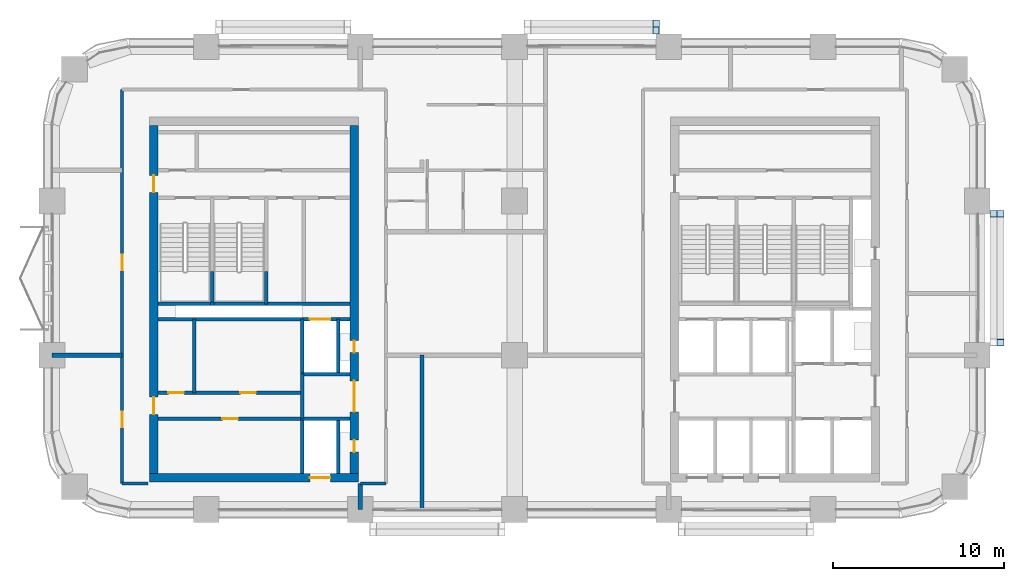
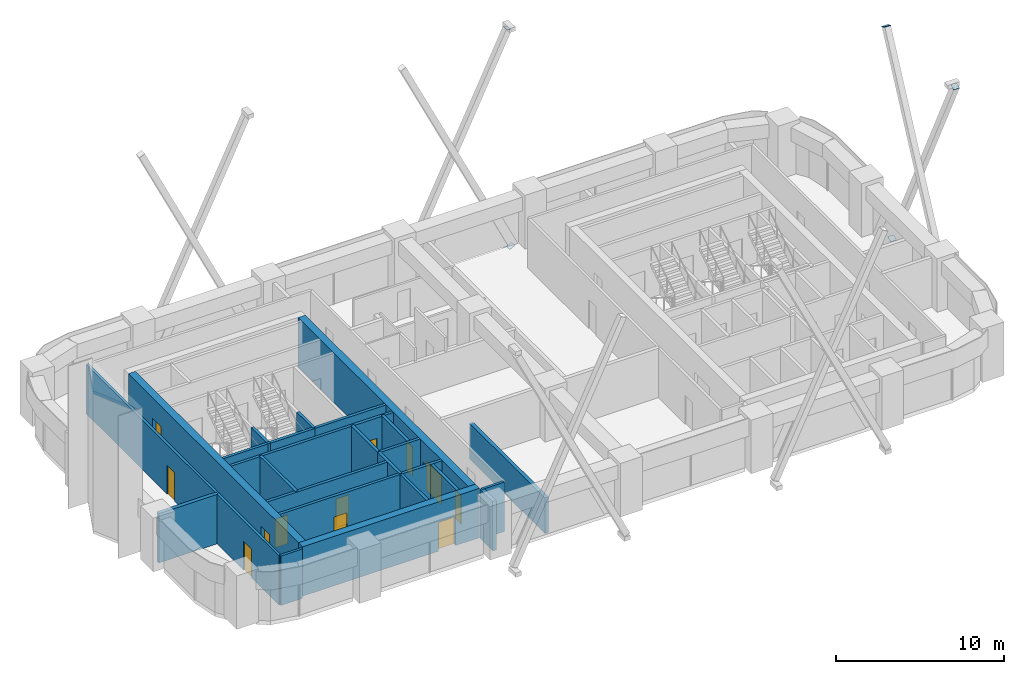
# One storey, part 8 of 13: 26 walls, 12 doors, 5 plates, 12 openings.
"""IFC4 building model written with IfcOpenShell, lengths in metres."""

from ifc_helpers import new_model, si_unit, direction, frame, frame_2d, origin, origin_2d, place, context, subcontext, project, spatial, rectangle, extrude, material, layer, layer_set, type_object, element, fill, save


model = new_model("IFC4")

# Units and contexts
model_context = context("Model", 3, precision=1e-05, world=origin(), true_north=direction((0.0, 1.0)))
body_context = subcontext(model_context, "Body", "Model", "MODEL_VIEW")
ifc_project = project(units=[si_unit("LENGTHUNIT", "METRE"), si_unit("AREAUNIT", "SQUARE_METRE"), si_unit("VOLUMEUNIT", "CUBIC_METRE"), si_unit("PLANEANGLEUNIT", "RADIAN"), si_unit("MASSUNIT", "GRAM", prefix="KILO")], contexts=[model_context])

# Site, building, storey
site_placement = place(None, origin())
site = spatial("IfcSite", under=ifc_project, at=site_placement, CompositionType="ELEMENT")
building_placement = place(site_placement, origin())
building = spatial("IfcBuilding", under=site, at=building_placement, Name="Tessera Arch", CompositionType="ELEMENT")
storey_placement = place(building_placement, frame((0.0, 0.0, 166.10009765625)))
storey = spatial("IfcBuildingStorey", under=building, at=storey_placement, Name="L39", CompositionType="ELEMENT", Elevation=166.10009765625)

# Plates
ifc_material_1 = material(Name="Steel A572 Gr50", Category="steel")
ifc_layer_1 = layer(ifc_material_1, 0.02490234375)
ifc_layer_set_1 = layer_set([ifc_layer_1], Name="End plate HSS16x16x5/8")
plate_type = type_object("IfcPlateType", Name="End plate HSS16x16x5/8", PredefinedType="SHEET", material=ifc_layer_set_1)
plate_1_placement = place(storey_placement, frame((54.953125, 44.25, 14.7998046875), z_axis=(0.0, 0.427668482188, 0.903935655533), x_axis=(-1.0, 0.0, 0.0)))
element("IfcPlate", 1, at=plate_1_placement, inside=storey, type_object=plate_type, Name="End plate HSS16x16x5/8 E54.27-0 A2 L39", PredefinedType="SHEET", context=body_context, shape_type="SweptSolid", body=[
    extrude(rectangle(XDim=0.406494140625, YDim=0.406494140625, at=origin_2d()), origin(), (0.0, 0.0, 1.0), 0.025146484375),
])
plate_2_placement = place(storey_placement, frame((55.359619140625, 44.2607421875, -0.822509765625), z_axis=(0.0, -0.431455497304, 0.902134221636), x_axis=(1.0, 0.0, 0.0)))
element("IfcPlate", 2, at=plate_2_placement, inside=storey, type_object=plate_type, Name="End plate HSS16x16x5/8 E54.27-0 B1 L39", PredefinedType="SHEET", context=body_context, shape_type="SweptSolid", body=[
    extrude(rectangle(XDim=0.406494140625, YDim=0.406494140625, at=origin_2d()), origin(), (0.0, 0.0, 1.0), 0.02490234375),
])
plate_3_placement = place(storey_placement, frame((55.359619140625, 36.75, 14.7998046875), z_axis=(0.0, -0.427668482188, 0.903935655533), x_axis=(1.0, 0.0, 0.0)))
element("IfcPlate", 3, at=plate_3_placement, inside=storey, type_object=plate_type, Name="End plate HSS16x16x5/8 E54.27-0 B2 L39", PredefinedType="SHEET", context=body_context, shape_type="SweptSolid", body=[
    extrude(rectangle(XDim=0.406494140625, YDim=0.406494140625, at=origin_2d()), origin(), (0.0, 0.0, 1.0), 0.025146484375),
])
plate_4_placement = place(storey_placement, frame((35.2607421875, 54.953125, -0.822509765625), z_axis=(-0.431455497304, 0.0, 0.902134221636), x_axis=(0.0, -1.0, 0.0)))
element("IfcPlate", 4, at=plate_4_placement, inside=storey, type_object=plate_type, Name="End plate HSS16x16x5/8 N54.0-2 A1 L39", PredefinedType="SHEET", context=body_context, shape_type="SweptSolid", body=[
    extrude(rectangle(XDim=0.406494140625, YDim=0.406494140625, at=origin_2d()), origin(), (0.0, 0.0, 1.0), 0.02490234375),
])
plate_5_placement = place(storey_placement, frame((35.25, 55.359619140625, 14.7998046875), z_axis=(0.427668482188, 0.0, 0.903935655533), x_axis=(0.0, 1.0, 0.0)))
element("IfcPlate", 5, at=plate_5_placement, inside=storey, type_object=plate_type, Name="End plate HSS16x16x5/8 N54.0-2 B2 L39", PredefinedType="SHEET", context=body_context, shape_type="SweptSolid", body=[
    extrude(rectangle(XDim=0.406494140625, YDim=0.406494140625, at=origin_2d()), origin(), (0.0, 0.0, 1.0), 0.025146484375),
])

# Walls
ifc_material_2 = material(Name="Gypsum board on steel stud", Category="steel")
ifc_layer_2 = layer(ifc_material_2, 0.125)
ifc_layer_set_2 = layer_set([ifc_layer_2], Name="Core partition 125 EI 60")
wall_type_1 = type_object("IfcWallType", Name="Core partition 125 EI 60", PredefinedType="PARTITIONING", material=ifc_layer_set_2)
wall_1_placement = place(storey_placement, frame((8.300048828125, 33.800048828125, 0.0), z_axis=(0.0, 0.0, 1.0), x_axis=(0.0, 1.0, 0.0)))
element("IfcWall", 6, at=wall_1_placement, inside=storey, type_object=wall_type_1, Name="L39 C2 partition wall 1", PredefinedType="PARTITIONING", context=body_context, shape_type="SweptSolid", body=[
    extrude(rectangle(XDim=4.300048828125, YDim=0.199951171875, at=frame_2d((2.14990234375, 0.0))), origin(), (0.0, 0.0, 1.0), 3.599853515625),
])
wall_2_placement = place(storey_placement, frame((14.60009765625, 32.300048828125, 0.0), z_axis=(0.0, 0.0, 1.0), x_axis=(0.0, 1.0, 0.0)))
element("IfcWall", 7, at=wall_2_placement, inside=storey, type_object=wall_type_1, Name="L39 C2 partition wall 7", PredefinedType="PARTITIONING", context=body_context, shape_type="SweptSolid", body=[
    extrude(rectangle(XDim=2.599853515625, YDim=0.199951171875, at=frame_2d((1.2998046875, 0.0))), origin(), (0.0, 0.0, 1.0), 3.599853515625),
])

# Wall, opening, door
wall_3_placement = place(storey_placement, frame((6.199951171875, 32.300048828125, 0.0), z_axis=(0.0, 0.0, 1.0), x_axis=(1.0, 0.0, 0.0)))
wall_3 = element("IfcWall", 8, at=wall_3_placement, inside=storey, type_object=wall_type_1, Name="L39 C2 partition wall 13", PredefinedType="PARTITIONING", context=body_context, shape_type="SweptSolid", body=[
    extrude(rectangle(XDim=8.400146484375, YDim=0.199951171875, at=frame_2d((4.2001953125, 0.0))), origin(), (0.0, 0.0, 1.0), 3.599853515625),
])
opening_1_placement = place(wall_3_placement, frame((3.75, 0.0, 0.0)))
opening_1 = element("IfcOpeningElement", 9, at=opening_1_placement, cuts=wall_3, Name="Opening L39-C32", PredefinedType="OPENING", context=body_context, shape_type="SweptSolid", body=[
    extrude(rectangle(XDim=0.89990234375, YDim=2.10009765625, at=frame_2d((0.449951171875, 1.050048828125))), frame((0.0, 0.10986328125, 0.0), z_axis=(0.0, -1.0, 0.0), x_axis=(1.0, 0.0, 0.0)), (0.0, 0.0, 1.0), 0.219970703125),
])
ifc_material_3 = material(Name="Steel door leaf", Category="steel")
door_type_1 = type_object("IfcDoorType", Name="Store door FD30S 900 x 2100", OperationType="SINGLE_SWING_LEFT", PredefinedType="DOOR", material=ifc_material_3)
door_1_placement = place(opening_1_placement, origin())
door_1 = element("IfcDoor", 10, at=door_1_placement, inside=storey, type_object=door_type_1, Name="L39 C2 door 14 C32 type D09", OperationType="SINGLE_SWING_RIGHT", OverallHeight=2.10009765625, OverallWidth=0.89990234375, PredefinedType="DOOR", context=body_context, shape_type="SweptSolid", body=[
    extrude(rectangle(XDim=0.89990234375, YDim=2.10009765625, at=frame_2d((0.449951171875, 1.050048828125))), frame((0.0, 0.02490234375, 0.0), z_axis=(0.0, -1.0, 0.0), x_axis=(1.0, 0.0, 0.0)), (0.0, 0.0, 1.0), 0.050048828125),
])
fill(opening_1, door_1)

# Wall, openings, doors
wall_4_placement = place(storey_placement, frame((6.199951171875, 33.800048828125, 0.0), z_axis=(0.0, 0.0, 1.0), x_axis=(1.0, 0.0, 0.0)))
wall_4 = element("IfcWall", 11, at=wall_4_placement, inside=storey, type_object=wall_type_1, Name="L39 C2 partition wall 15", PredefinedType="PARTITIONING", context=body_context, shape_type="SweptSolid", body=[
    extrude(rectangle(XDim=8.400146484375, YDim=0.199951171875, at=frame_2d((4.2001953125, 0.0))), origin(), (0.0, 0.0, 1.0), 3.599853515625),
])
opening_2_placement = place(wall_4_placement, frame((0.60009765625, 0.0, 0.0)))
opening_2 = element("IfcOpeningElement", 12, at=opening_2_placement, cuts=wall_4, Name="Opening L39-C33", PredefinedType="OPENING", context=body_context, shape_type="SweptSolid", body=[
    extrude(rectangle(XDim=0.89990234375, YDim=2.10009765625, at=frame_2d((0.449951171875, 1.050048828125))), frame((0.0, 0.10986328125, 0.0), z_axis=(0.0, -1.0, 0.0), x_axis=(1.0, 0.0, 0.0)), (0.0, 0.0, 1.0), 0.219970703125),
])
opening_3_placement = place(wall_4_placement, frame((4.800048828125, 0.0, 0.0)))
opening_3 = element("IfcOpeningElement", 13, at=opening_3_placement, cuts=wall_4, Name="Opening L39-C34", PredefinedType="OPENING", context=body_context, shape_type="SweptSolid", body=[
    extrude(rectangle(XDim=0.89990234375, YDim=2.10009765625, at=frame_2d((0.449951171875, 1.050048828125))), frame((0.0, 0.10986328125, 0.0), z_axis=(0.0, -1.0, 0.0), x_axis=(1.0, 0.0, 0.0)), (0.0, 0.0, 1.0), 0.219970703125),
])
door_2_placement = place(opening_2_placement, origin())
door_2 = element("IfcDoor", 14, at=door_2_placement, inside=storey, type_object=door_type_1, Name="L39 C2 door 15 C33 type D09", OperationType="SINGLE_SWING_LEFT", OverallHeight=2.10009765625, OverallWidth=0.89990234375, PredefinedType="DOOR", context=body_context, shape_type="SweptSolid", body=[
    extrude(rectangle(XDim=0.89990234375, YDim=2.10009765625, at=frame_2d((0.449951171875, 1.050048828125))), frame((0.0, 0.02490234375, 0.0), z_axis=(0.0, -1.0, 0.0), x_axis=(1.0, 0.0, 0.0)), (0.0, 0.0, 1.0), 0.050048828125),
])
fill(opening_2, door_2)
door_3_placement = place(opening_3_placement, origin())
door_3 = element("IfcDoor", 15, at=door_3_placement, inside=storey, type_object=door_type_1, Name="L39 C2 door 16 C34 type D09", OperationType="SINGLE_SWING_RIGHT", OverallHeight=2.10009765625, OverallWidth=0.89990234375, PredefinedType="DOOR", context=body_context, shape_type="SweptSolid", body=[
    extrude(rectangle(XDim=0.89990234375, YDim=2.10009765625, at=frame_2d((0.449951171875, 1.050048828125))), frame((0.0, 0.02490234375, 0.0), z_axis=(0.0, -1.0, 0.0), x_axis=(1.0, 0.0, 0.0)), (0.0, 0.0, 1.0), 0.050048828125),
])
fill(opening_3, door_3)

# Wall, opening, door
ifc_material_4 = material(Name="Concrete C60/75", Category="concrete")
ifc_layer_3 = layer(ifc_material_4, 0.5)
ifc_layer_set_3 = layer_set([ifc_layer_3], Name="Core shell wall 500 C60-75")
wall_type_2 = type_object("IfcWallType", Name="Core shell wall 500 C60-75", PredefinedType="SHEAR", material=ifc_layer_set_3)
wall_5_placement = place(storey_placement, frame((5.699951171875, 28.85009765625, 0.0), z_axis=(0.0, 0.0, 1.0), x_axis=(1.0, 0.0, 0.0)))
wall_5 = element("IfcWall", 16, at=wall_5_placement, inside=storey, type_object=wall_type_2, Name="L39 C2 core wall S", PredefinedType="SHEAR", context=body_context, shape_type="SweptSolid", body=[
    extrude(rectangle(XDim=12.199951171875, YDim=0.5, at=frame_2d((6.10009765625, 0.0))), origin(), (0.0, 0.0, 1.0), 3.599853515625),
])
opening_4_placement = place(wall_5_placement, frame((9.35009765625, 0.0, 0.0)))
opening_4 = element("IfcOpeningElement", 17, at=opening_4_placement, cuts=wall_5, Name="Opening L39-C19", PredefinedType="OPENING", context=body_context, shape_type="SweptSolid", body=[
    extrude(rectangle(XDim=1.199951171875, YDim=2.10009765625, at=frame_2d((0.60009765625, 1.050048828125))), frame((0.0, 0.260009765625, 0.0), z_axis=(0.0, -1.0, 0.0), x_axis=(1.0, 0.0, 0.0)), (0.0, 0.0, 1.0), 0.52001953125),
])
ifc_material_5 = material(Name="Stainless steel AISI 304", Category="steel")
door_type_2 = type_object("IfcDoorType", Name="Sliding landing door 1200 x 2100", OperationType="SLIDING_TO_LEFT", PredefinedType="DOOR", material=ifc_material_5)
door_4_placement = place(opening_4_placement, origin())
door_4 = element("IfcDoor", 18, at=door_4_placement, inside=storey, type_object=door_type_2, Name="L39 HR7 lift landing door C19 type LD", OperationType="SLIDING_TO_LEFT", OverallHeight=2.10009765625, OverallWidth=1.199951171875, PredefinedType="DOOR", context=body_context, shape_type="SweptSolid", body=[
    extrude(rectangle(XDim=1.199951171875, YDim=2.10009765625, at=frame_2d((0.60009765625, 1.050048828125))), frame((0.0, 0.02490234375, 0.0), z_axis=(0.0, -1.0, 0.0), x_axis=(1.0, 0.0, 0.0)), (0.0, 0.0, 1.0), 0.050048828125),
])
fill(opening_4, door_4)

# Wall, openings, doors
wall_6_placement = place(storey_placement, frame((5.949951171875, 29.10009765625, 0.0), z_axis=(0.0, 0.0, 1.0), x_axis=(0.0, 1.0, 0.0)))
wall_6 = element("IfcWall", 19, at=wall_6_placement, inside=storey, type_object=wall_type_2, Name="L39 C2 core wall W", PredefinedType="SHEAR", context=body_context, shape_type="SweptSolid", body=[
    extrude(rectangle(XDim=20.2998046875, YDim=0.5, at=frame_2d((10.14990234375, 0.0))), origin(), (0.0, 0.0, 1.0), 3.599853515625),
])
opening_5_placement = place(wall_6_placement, frame((3.449951171875, 0.0, 0.0)))
opening_5 = element("IfcOpeningElement", 20, at=opening_5_placement, cuts=wall_6, Name="Opening L39-C26", PredefinedType="OPENING", context=body_context, shape_type="SweptSolid", body=[
    extrude(rectangle(XDim=1.0, YDim=2.10009765625, at=frame_2d((0.5, 1.050048828125))), frame((0.0, 0.260009765625, 0.0), z_axis=(0.0, -1.0, 0.0), x_axis=(1.0, 0.0, 0.0)), (0.0, 0.0, 1.0), 0.52001953125),
])
opening_6_placement = place(wall_6_placement, frame((16.39990234375, 0.0, 0.0)))
opening_6 = element("IfcOpeningElement", 21, at=opening_6_placement, cuts=wall_6, Name="Opening L39-C27", PredefinedType="OPENING", context=body_context, shape_type="SweptSolid", body=[
    extrude(rectangle(XDim=1.0, YDim=2.10009765625, at=frame_2d((0.5, 1.050048828125))), frame((0.0, 0.260009765625, 0.0), z_axis=(0.0, -1.0, 0.0), x_axis=(1.0, 0.0, 0.0)), (0.0, 0.0, 1.0), 0.52001953125),
])
ifc_material_6 = material(Name="Steel door leaf", Category="steel")
door_type_3 = type_object("IfcDoorType", Name="Corridor door FD60 1000 x 2100", OperationType="SINGLE_SWING_LEFT", PredefinedType="DOOR", material=ifc_material_6)
door_5_placement = place(opening_5_placement, origin())
door_5 = element("IfcDoor", 22, at=door_5_placement, inside=storey, type_object=door_type_3, Name="L39 C2 door 8 C26 type D12", OperationType="SINGLE_SWING_LEFT", OverallHeight=2.10009765625, OverallWidth=1.0, PredefinedType="DOOR", context=body_context, shape_type="SweptSolid", body=[
    extrude(rectangle(XDim=1.0, YDim=2.10009765625, at=frame_2d((0.5, 1.050048828125))), frame((0.0, 0.02490234375, 0.0), z_axis=(0.0, -1.0, 0.0), x_axis=(1.0, 0.0, 0.0)), (0.0, 0.0, 1.0), 0.050048828125),
])
fill(opening_5, door_5)
door_6_placement = place(opening_6_placement, origin())
door_6 = element("IfcDoor", 23, at=door_6_placement, inside=storey, type_object=door_type_3, Name="L39 C2 door 9 C27 type D12", OperationType="SINGLE_SWING_RIGHT", OverallHeight=2.10009765625, OverallWidth=1.0, PredefinedType="DOOR", context=body_context, shape_type="SweptSolid", body=[
    extrude(rectangle(XDim=1.0, YDim=2.10009765625, at=frame_2d((0.5, 1.050048828125))), frame((0.0, 0.02490234375, 0.0), z_axis=(0.0, -1.0, 0.0), x_axis=(1.0, 0.0, 0.0)), (0.0, 0.0, 1.0), 0.050048828125),
])
fill(opening_6, door_6)

wall_7_placement = place(storey_placement, frame((17.64990234375, 29.10009765625, 0.0), z_axis=(0.0, 0.0, 1.0), x_axis=(0.0, 1.0, 0.0)))
wall_7 = element("IfcWall", 24, at=wall_7_placement, inside=storey, type_object=wall_type_2, Name="L39 C2 core wall E", PredefinedType="SHEAR", context=body_context, shape_type="SweptSolid", body=[
    extrude(rectangle(XDim=20.2998046875, YDim=0.5, at=frame_2d((10.14990234375, 0.0))), origin(), (0.0, 0.0, 1.0), 3.599853515625),
])
opening_7_placement = place(wall_7_placement, frame((1.25, 0.0, 0.0)))
opening_7 = element("IfcOpeningElement", 25, at=opening_7_placement, cuts=wall_7, Name="Opening L39-C21", PredefinedType="OPENING", context=body_context, shape_type="SweptSolid", body=[
    extrude(rectangle(XDim=0.699951171875, YDim=2.10009765625, at=frame_2d((0.35009765625, 1.050048828125))), frame((0.0, 0.260009765625, 0.0), z_axis=(0.0, -1.0, 0.0), x_axis=(1.0, 0.0, 0.0)), (0.0, 0.0, 1.0), 0.52001953125),
])
opening_8_placement = place(wall_7_placement, frame((7.050048828125, 0.0, 0.0)))
opening_8 = element("IfcOpeningElement", 26, at=opening_8_placement, cuts=wall_7, Name="Opening L39-C22", PredefinedType="OPENING", context=body_context, shape_type="SweptSolid", body=[
    extrude(rectangle(XDim=0.699951171875, YDim=2.10009765625, at=frame_2d((0.35009765625, 1.050048828125))), frame((0.0, 0.260009765625, 0.0), z_axis=(0.0, -1.0, 0.0), x_axis=(1.0, 0.0, 0.0)), (0.0, 0.0, 1.0), 0.52001953125),
])
opening_9_placement = place(wall_7_placement, frame((3.60009765625, 0.0, 0.0)))
opening_9 = element("IfcOpeningElement", 27, at=opening_9_placement, cuts=wall_7, Name="Opening L39-C25", PredefinedType="OPENING", context=body_context, shape_type="SweptSolid", body=[
    extrude(rectangle(XDim=1.800048828125, YDim=2.10009765625, at=frame_2d((0.89990234375, 1.050048828125))), frame((0.0, 0.260009765625, 0.0), z_axis=(0.0, -1.0, 0.0), x_axis=(1.0, 0.0, 0.0)), (0.0, 0.0, 1.0), 0.52001953125),
])
ifc_material_7 = material(Name="Glazed steel door leaf", Category="steel")
door_type_4 = type_object("IfcDoorType", Name="Lobby double door FD30S 1800 x 2100", OperationType="DOUBLE_DOOR_SINGLE_SWING", PredefinedType="DOOR", material=ifc_material_7)
door_7_placement = place(opening_9_placement, origin())
door_7 = element("IfcDoor", 28, at=door_7_placement, inside=storey, type_object=door_type_4, Name="L39 C2 door 7 C25 type D06", OperationType="DOUBLE_DOOR_SINGLE_SWING", OverallHeight=2.10009765625, OverallWidth=1.800048828125, PredefinedType="DOOR", context=body_context, shape_type="SweptSolid", body=[
    extrude(rectangle(XDim=1.800048828125, YDim=2.10009765625, at=frame_2d((0.89990234375, 1.050048828125))), frame((0.0, 0.02490234375, 0.0), z_axis=(0.0, -1.0, 0.0), x_axis=(1.0, 0.0, 0.0)), (0.0, 0.0, 1.0), 0.050048828125),
])
fill(opening_9, door_7)
ifc_material_8 = material(Name="Steel door leaf", Category="steel")
door_type_5 = type_object("IfcDoorType", Name="Service shaft door FD60 700 x 2100", OperationType="SINGLE_SWING_LEFT", PredefinedType="DOOR", material=ifc_material_8)
door_8_placement = place(opening_7_placement, origin())
door_8 = element("IfcDoor", 29, at=door_8_placement, inside=storey, type_object=door_type_5, Name="L39 C2 door 3 C21 type D07", OperationType="SINGLE_SWING_LEFT", OverallHeight=2.10009765625, OverallWidth=0.699951171875, PredefinedType="DOOR", context=body_context, shape_type="SweptSolid", body=[
    extrude(rectangle(XDim=0.699951171875, YDim=2.10009765625, at=frame_2d((0.35009765625, 1.050048828125))), frame((0.0, 0.02490234375, 0.0), z_axis=(0.0, -1.0, 0.0), x_axis=(1.0, 0.0, 0.0)), (0.0, 0.0, 1.0), 0.050048828125),
])
fill(opening_7, door_8)
door_9_placement = place(opening_8_placement, origin())
door_9 = element("IfcDoor", 30, at=door_9_placement, inside=storey, type_object=door_type_5, Name="L39 C2 door 4 C22 type D07", OperationType="SINGLE_SWING_LEFT", OverallHeight=2.10009765625, OverallWidth=0.699951171875, PredefinedType="DOOR", context=body_context, shape_type="SweptSolid", body=[
    extrude(rectangle(XDim=0.699951171875, YDim=2.10009765625, at=frame_2d((0.35009765625, 1.050048828125))), frame((0.0, 0.02490234375, 0.0), z_axis=(0.0, -1.0, 0.0), x_axis=(1.0, 0.0, 0.0)), (0.0, 0.0, 1.0), 0.050048828125),
])
fill(opening_8, door_9)

# Walls
ifc_material_9 = material(Name="Gypsum board on deep steel stud with mineral wool", Category="steel")
ifc_layer_4 = layer(ifc_material_9, 0.175048828125)
ifc_layer_set_4 = layer_set([ifc_layer_4], Name="Corridor wall 175 EI 60")
wall_type_3 = type_object("IfcWallType", Name="Corridor wall 175 EI 60", PredefinedType="PARTITIONING", material=ifc_layer_set_4)
for number, where, z_axis, x_axis, name in (
    (31, (4.10009765625, 28.5, 0.0), (0.0, 0.0, 1.0), (1.0, 0.0, 0.0), "L39 partition 1"),
    (32, (18.0, 28.5, 0.0), (0.0, 0.0, 1.0), (1.0, 0.0, 0.0), "L39 partition 2"),
):
    element("IfcWall", number, at=place(storey_placement, frame(where, z_axis=z_axis, x_axis=x_axis)), inside=storey, type_object=wall_type_3, Name=name, PredefinedType="PARTITIONING", context=body_context, shape_type="SweptSolid", body=[
        extrude(rectangle(XDim=1.5, YDim=0.175048828125, at=frame_2d((0.75, 0.0))), origin(), (0.0, 0.0, 1.0), 3.599853515625),
    ])

# Wall, openings, doors
wall_8_placement = place(storey_placement, frame((4.10009765625, 28.5, 0.0), z_axis=(0.0, 0.0, 1.0), x_axis=(0.0, 1.0, 0.0)))
wall_8 = element("IfcWall", 33, at=wall_8_placement, inside=storey, type_object=wall_type_3, Name="L39 partition 7", PredefinedType="PARTITIONING", context=body_context, shape_type="SweptSolid", body=[
    extrude(rectangle(XDim=23.0, YDim=0.175048828125, at=frame_2d((11.5, 0.0))), origin(), (0.0, 0.0, 1.0), 3.599853515625),
])
opening_10_placement = place(wall_8_placement, frame((3.300048828125, 0.0, 0.0)))
opening_10 = element("IfcOpeningElement", 34, at=opening_10_placement, cuts=wall_8, Name="Opening L39-D001", PredefinedType="OPENING", context=body_context, shape_type="SweptSolid", body=[
    extrude(rectangle(XDim=0.89990234375, YDim=2.10009765625, at=frame_2d((0.449951171875, 1.050048828125))), frame((0.0, 0.097412109375, 0.0), z_axis=(0.0, -1.0, 0.0), x_axis=(1.0, 0.0, 0.0)), (0.0, 0.0, 1.0), 0.195068359375),
])
opening_11_placement = place(wall_8_placement, frame((12.449951171875, 0.0, 0.0)))
opening_11 = element("IfcOpeningElement", 35, at=opening_11_placement, cuts=wall_8, Name="Opening L39-D007", PredefinedType="OPENING", context=body_context, shape_type="SweptSolid", body=[
    extrude(rectangle(XDim=0.89990234375, YDim=2.10009765625, at=frame_2d((0.449951171875, 1.050048828125))), frame((0.0, 0.097412109375, 0.0), z_axis=(0.0, -1.0, 0.0), x_axis=(1.0, 0.0, 0.0)), (0.0, 0.0, 1.0), 0.195068359375),
])
ifc_material_10 = material(Name="Timber door leaf", Category="wood")
door_type_6 = type_object("IfcDoorType", Name="Room door 900 x 2100", OperationType="SINGLE_SWING_LEFT", PredefinedType="DOOR", material=ifc_material_10)
door_10_placement = place(opening_10_placement, origin())
door_10 = element("IfcDoor", 36, at=door_10_placement, inside=storey, type_object=door_type_6, Name="L39 door D001 type D01", OperationType="SINGLE_SWING_LEFT", OverallHeight=2.10009765625, OverallWidth=0.89990234375, PredefinedType="DOOR", context=body_context, shape_type="SweptSolid", body=[
    extrude(rectangle(XDim=0.89990234375, YDim=2.10009765625, at=frame_2d((0.449951171875, 1.050048828125))), frame((0.0, 0.02490234375, 0.0), z_axis=(0.0, -1.0, 0.0), x_axis=(1.0, 0.0, 0.0)), (0.0, 0.0, 1.0), 0.050048828125),
])
fill(opening_10, door_10)
door_11_placement = place(opening_11_placement, origin())
door_11 = element("IfcDoor", 37, at=door_11_placement, inside=storey, type_object=door_type_6, Name="L39 door D007 type D01", OperationType="SINGLE_SWING_LEFT", OverallHeight=2.10009765625, OverallWidth=0.89990234375, PredefinedType="DOOR", context=body_context, shape_type="SweptSolid", body=[
    extrude(rectangle(XDim=0.89990234375, YDim=2.10009765625, at=frame_2d((0.449951171875, 1.050048828125))), frame((0.0, 0.02490234375, 0.0), z_axis=(0.0, -1.0, 0.0), x_axis=(1.0, 0.0, 0.0)), (0.0, 0.0, 1.0), 0.050048828125),
])
fill(opening_11, door_11)

# Walls
ifc_material_11 = material(Name="Double gypsum board on twin steel stud with acoustic mineral wool", Category="steel")
ifc_layer_5 = layer(ifc_material_11, 0.25)
ifc_layer_set_5 = layer_set([ifc_layer_5], Name="Party wall 250 EI 60")
wall_type_4 = type_object("IfcWallType", Name="Party wall 250 EI 60", PredefinedType="PARTITIONING", material=ifc_layer_set_5)
wall_9_placement = place(storey_placement, frame((0.0, 36.0, 0.0), z_axis=(0.0, 0.0, 1.0), x_axis=(1.0, 0.0, 0.0)))
element("IfcWall", 38, at=wall_9_placement, inside=storey, type_object=wall_type_4, Name="L39 partition 15", PredefinedType="PARTITIONING", context=body_context, shape_type="SweptSolid", body=[
    extrude(rectangle(XDim=4.10009765625, YDim=0.25, at=frame_2d((2.050048828125, 0.0))), origin(), (0.0, 0.0, 1.0), 3.599853515625),
])
wall_10_placement = place(storey_placement, frame((18.0, 27.0, 0.0), z_axis=(0.0, 0.0, 1.0), x_axis=(0.0, 1.0, 0.0)))
element("IfcWall", 39, at=wall_10_placement, inside=storey, type_object=wall_type_4, Name="L39 partition 22", PredefinedType="PARTITIONING", context=body_context, shape_type="SweptSolid", body=[
    extrude(rectangle(XDim=1.5, YDim=0.25, at=frame_2d((0.75, 0.0))), origin(), (0.0, 0.0, 1.0), 3.599853515625),
])
wall_11_placement = place(storey_placement, frame((21.60009765625, 27.0, 0.0), z_axis=(0.0, 0.0, 1.0), x_axis=(0.0, 1.0, 0.0)))
element("IfcWall", 40, at=wall_11_placement, inside=storey, type_object=wall_type_4, Name="L39 partition 24", PredefinedType="PARTITIONING", context=body_context, shape_type="SweptSolid", body=[
    extrude(rectangle(XDim=9.0, YDim=0.25, at=frame_2d((4.5, 0.0))), origin(), (0.0, 0.0, 1.0), 2.599853515625),
])
ifc_material_12 = material(Name="Concrete C40/50", Category="concrete")
ifc_layer_6 = layer(ifc_material_12, 0.199951171875)
ifc_layer_set_6 = layer_set([ifc_layer_6], Name="Shaft wall 200 EI 120")
wall_type_5 = type_object("IfcWallType", Name="Shaft wall 200 EI 120", PredefinedType="SOLIDWALL", material=ifc_layer_set_6)
wall_12_placement = place(storey_placement, frame((14.60009765625, 29.10009765625, 0.0), z_axis=(0.0, 0.0, 1.0), x_axis=(0.0, 1.0, 0.0)))
element("IfcWall", 41, at=wall_12_placement, inside=storey, type_object=wall_type_5, Name="L39 C2 shaft wall 8", PredefinedType="SOLIDWALL", context=body_context, shape_type="SweptSolid", body=[
    extrude(rectangle(XDim=3.199951171875, YDim=0.199951171875, at=frame_2d((1.60009765625, 0.0))), origin(), (0.0, 0.0, 1.0), 3.599853515625),
])
wall_13_placement = place(storey_placement, frame((14.60009765625, 34.89990234375, 0.0), z_axis=(0.0, 0.0, 1.0), x_axis=(0.0, 1.0, 0.0)))
element("IfcWall", 42, at=wall_13_placement, inside=storey, type_object=wall_type_5, Name="L39 C2 shaft wall 9", PredefinedType="SOLIDWALL", context=body_context, shape_type="SweptSolid", body=[
    extrude(rectangle(XDim=3.2001953125, YDim=0.199951171875, at=frame_2d((1.60009765625, 0.0))), origin(), (0.0, 0.0, 1.0), 3.599853515625),
])
wall_14_placement = place(storey_placement, frame((16.699951171875, 29.10009765625, 0.0), z_axis=(0.0, 0.0, 1.0), x_axis=(0.0, 1.0, 0.0)))
element("IfcWall", 43, at=wall_14_placement, inside=storey, type_object=wall_type_5, Name="L39 C2 shaft wall 11", PredefinedType="SOLIDWALL", context=body_context, shape_type="SweptSolid", body=[
    extrude(rectangle(XDim=3.199951171875, YDim=0.199951171875, at=frame_2d((1.60009765625, 0.0))), origin(), (0.0, 0.0, 1.0), 3.599853515625),
])
wall_15_placement = place(storey_placement, frame((16.699951171875, 34.89990234375, 0.0), z_axis=(0.0, 0.0, 1.0), x_axis=(0.0, 1.0, 0.0)))
element("IfcWall", 44, at=wall_15_placement, inside=storey, type_object=wall_type_5, Name="L39 C2 shaft wall 12", PredefinedType="SOLIDWALL", context=body_context, shape_type="SweptSolid", body=[
    extrude(rectangle(XDim=3.2001953125, YDim=0.199951171875, at=frame_2d((1.60009765625, 0.0))), origin(), (0.0, 0.0, 1.0), 3.599853515625),
])
for number, where, z_axis, x_axis, name in (
    (45, (14.60009765625, 32.300048828125, 0.0), (0.0, 0.0, 1.0), (1.0, 0.0, 0.0), "L39 C2 shaft wall 14"),
    (46, (14.60009765625, 34.89990234375, 0.0), (0.0, 0.0, 1.0), (1.0, 0.0, 0.0), "L39 C2 shaft wall 16"),
):
    element("IfcWall", number, at=place(storey_placement, frame(where, z_axis=z_axis, x_axis=x_axis)), inside=storey, type_object=wall_type_5, Name=name, PredefinedType="SOLIDWALL", context=body_context, shape_type="SweptSolid", body=[
        extrude(rectangle(XDim=2.7998046875, YDim=0.199951171875, at=frame_2d((1.39990234375, 0.0))), origin(), (0.0, 0.0, 1.0), 3.599853515625),
    ])

# Wall, opening, door
wall_16_placement = place(storey_placement, frame((6.199951171875, 38.10009765625, 0.0), z_axis=(0.0, 0.0, 1.0), x_axis=(1.0, 0.0, 0.0)))
wall_16 = element("IfcWall", 47, at=wall_16_placement, inside=storey, type_object=wall_type_5, Name="L39 C2 shaft wall 17", PredefinedType="SOLIDWALL", context=body_context, shape_type="SweptSolid", body=[
    extrude(rectangle(XDim=11.199951171875, YDim=0.199951171875, at=frame_2d((5.60009765625, 0.0))), origin(), (0.0, 0.0, 1.0), 3.599853515625),
])
opening_12_placement = place(wall_16_placement, frame((8.85009765625, 0.0, 0.0)))
opening_12 = element("IfcOpeningElement", 48, at=opening_12_placement, cuts=wall_16, Name="Opening L39-C20", PredefinedType="OPENING", context=body_context, shape_type="SweptSolid", body=[
    extrude(rectangle(XDim=1.199951171875, YDim=2.10009765625, at=frame_2d((0.60009765625, 1.050048828125))), frame((0.0, 0.10986328125, 0.0), z_axis=(0.0, -1.0, 0.0), x_axis=(1.0, 0.0, 0.0)), (0.0, 0.0, 1.0), 0.219970703125),
])
door_12_placement = place(opening_12_placement, origin())
door_12 = element("IfcDoor", 49, at=door_12_placement, inside=storey, type_object=door_type_2, Name="L39 HR8 lift landing door C20 type LD", OperationType="SLIDING_TO_LEFT", OverallHeight=2.10009765625, OverallWidth=1.199951171875, PredefinedType="DOOR", context=body_context, shape_type="SweptSolid", body=[
    extrude(rectangle(XDim=1.199951171875, YDim=2.10009765625, at=frame_2d((0.60009765625, 1.050048828125))), frame((0.0, 0.02490234375, 0.0), z_axis=(0.0, -1.0, 0.0), x_axis=(1.0, 0.0, 0.0)), (0.0, 0.0, 1.0), 0.050048828125),
])
fill(opening_12, door_12)

# Walls
wall_17_placement = place(storey_placement, frame((12.5, 39.0, 0.0), z_axis=(0.0, 0.0, 1.0), x_axis=(1.0, 0.0, 0.0)))
element("IfcWall", 50, at=wall_17_placement, inside=storey, type_object=wall_type_5, Name="L39 C2 shaft wall 18", PredefinedType="SOLIDWALL", context=body_context, shape_type="SweptSolid", body=[
    extrude(rectangle(XDim=4.89990234375, YDim=0.199951171875, at=frame_2d((2.449951171875, 0.0))), origin(), (0.0, 0.0, 1.0), 3.599853515625),
])
ifc_material_13 = material(Name="Concrete C40/50", Category="concrete")
ifc_layer_7 = layer(ifc_material_13, 0.199951171875)
ifc_layer_set_7 = layer_set([ifc_layer_7], Name="Stair well wall 200 REI 180")
wall_type_6 = type_object("IfcWallType", Name="Stair well wall 200 REI 180", PredefinedType="SOLIDWALL", material=ifc_layer_set_7)
for number, where, z_axis, x_axis, name in (
    (51, (9.35009765625, 39.0, 0.0), (0.0, 0.0, 1.0), (0.0, 1.0, 0.0), "L39 C2 shaft wall 3"),
    (52, (12.5, 39.0, 0.0), (0.0, 0.0, 1.0), (0.0, 1.0, 0.0), "L39 C2 shaft wall 5"),
):
    element("IfcWall", number, at=place(storey_placement, frame(where, z_axis=z_axis, x_axis=x_axis)), inside=storey, type_object=wall_type_6, Name=name, PredefinedType="SOLIDWALL", context=body_context, shape_type="SweptSolid", body=[
        extrude(rectangle(XDim=1.89990234375, YDim=0.199951171875, at=frame_2d((0.949951171875, 0.0))), origin(), (0.0, 0.0, 1.0), 3.599853515625),
    ])
wall_18_placement = place(storey_placement, frame((6.199951171875, 39.0, 0.0), z_axis=(0.0, 0.0, 1.0), x_axis=(1.0, 0.0, 0.0)))
element("IfcWall", 53, at=wall_18_placement, inside=storey, type_object=wall_type_6, Name="L39 C2 shaft wall 19", PredefinedType="SOLIDWALL", context=body_context, shape_type="SweptSolid", body=[
    extrude(rectangle(XDim=3.050048828125, YDim=0.199951171875, at=frame_2d((1.52490234375, 0.0))), origin(), (0.0, 0.0, 1.0), 3.599853515625),
])
wall_19_placement = place(storey_placement, frame((9.25, 39.0, 0.0), z_axis=(0.0, 0.0, 1.0), x_axis=(1.0, 0.0, 0.0)))
element("IfcWall", 54, at=wall_19_placement, inside=storey, type_object=wall_type_6, Name="L39 C2 shaft wall 20", PredefinedType="SOLIDWALL", context=body_context, shape_type="SweptSolid", body=[
    extrude(rectangle(XDim=0.199951171875, YDim=0.199951171875, at=frame_2d((0.10009765625, 0.0))), origin(), (0.0, 0.0, 1.0), 3.599853515625),
])
wall_20_placement = place(storey_placement, frame((9.449951171875, 39.0, 0.0), z_axis=(0.0, 0.0, 1.0), x_axis=(1.0, 0.0, 0.0)))
element("IfcWall", 55, at=wall_20_placement, inside=storey, type_object=wall_type_6, Name="L39 C2 shaft wall 21", PredefinedType="SOLIDWALL", context=body_context, shape_type="SweptSolid", body=[
    extrude(rectangle(XDim=3.050048828125, YDim=0.199951171875, at=frame_2d((1.52490234375, 0.0))), origin(), (0.0, 0.0, 1.0), 3.599853515625),
])

save(model, "model.ifc")
